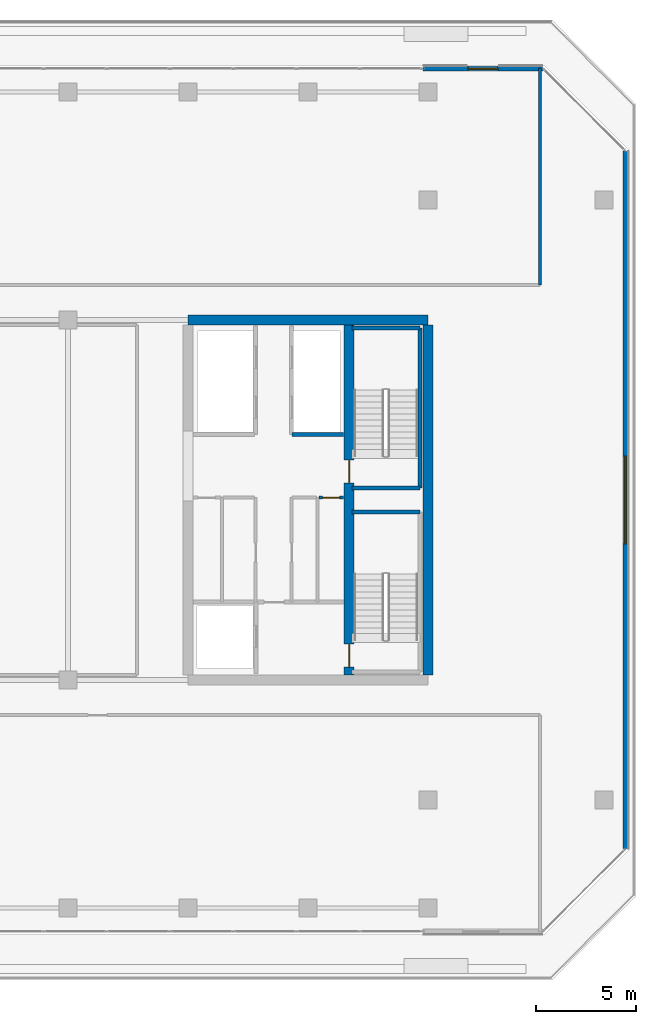
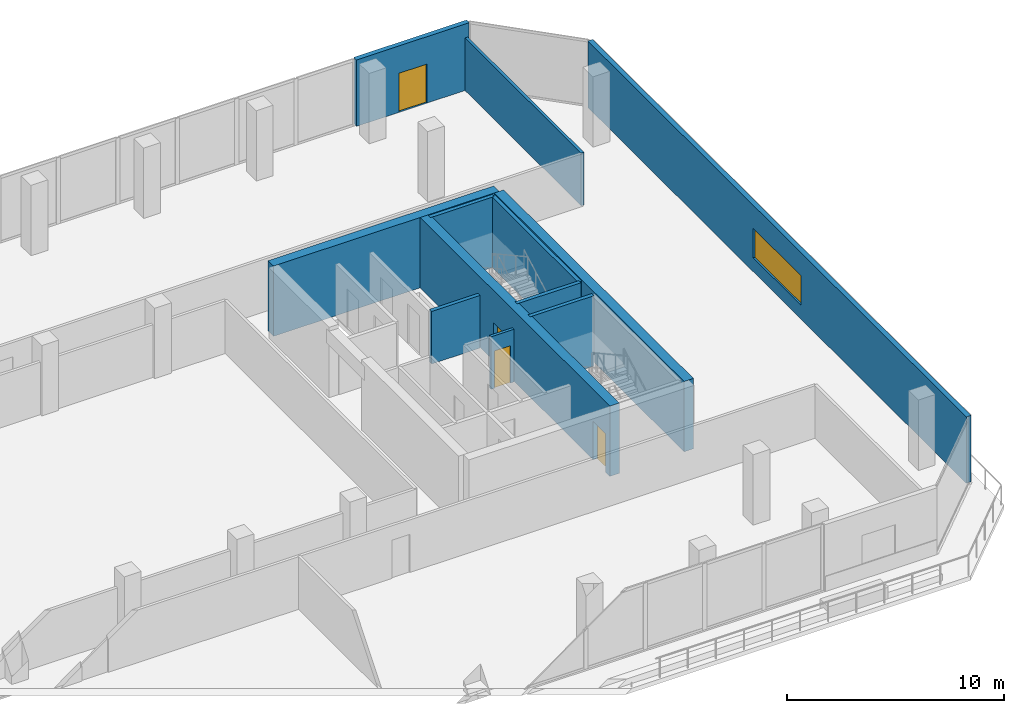
# One storey, part 24 of 30: 12 walls, 4 doors, 1 window, 5 openings.
"""IFC4 building model written with IfcOpenShell, lengths in metres."""

from ifc_helpers import new_model, si_unit, direction, frame, frame_2d, origin, place, context, subcontext, project, spatial, rectangle, extrude, material, layer, layer_set, type_object, element, fill, save


model = new_model("IFC4")

# Units and contexts
model_context = context("Model", 3, precision=1e-05, world=origin(), true_north=direction((0.0, 1.0)))
body_context = subcontext(model_context, "Body", "Model", "MODEL_VIEW")
ifc_project = project(units=[si_unit("LENGTHUNIT", "METRE"), si_unit("AREAUNIT", "SQUARE_METRE"), si_unit("VOLUMEUNIT", "CUBIC_METRE"), si_unit("PLANEANGLEUNIT", "RADIAN"), si_unit("MASSUNIT", "GRAM", prefix="KILO")], contexts=[model_context])

# Site, building, storey
site_placement = place(None, origin())
site = spatial("IfcSite", under=ifc_project, at=site_placement, CompositionType="ELEMENT")
building_placement = place(site_placement, origin())
building = spatial("IfcBuilding", under=site, at=building_placement, Name="Tanjung Sevakor Pilgrim Tower", CompositionType="ELEMENT")
storey_placement = place(building_placement, frame((0.0, 0.0, 128.0400390625)))
storey = spatial("IfcBuildingStorey", under=building, at=storey_placement, Name="L35", CompositionType="ELEMENT", Elevation=128.0400390625)

# Walls
ifc_material_1 = material(Name="Concrete C60/75", Category="concrete")
ifc_layer_1 = layer(ifc_material_1, 0.5)
ifc_layer_set_1 = layer_set([ifc_layer_1], Name="WALL-CW-500")
wall_type_1 = type_object("IfcWallType", Name="WALL-CW-500", PredefinedType="SHEAR", material=ifc_layer_set_1)
wall_1_placement = place(storey_placement, frame((90.0, 42.60009765625, 0.0), z_axis=(0.0, 0.0, 1.0), x_axis=(-1.0, 0.0, 0.0)))
element("IfcWall", 1, at=wall_1_placement, inside=storey, type_object=wall_type_1, Name="L35 E Core North Shear Wall", PredefinedType="SHEAR", context=body_context, shape_type="SweptSolid", body=[
    extrude(rectangle(XDim=12.0, YDim=0.5, at=frame_2d((6.0, 0.0))), origin(), (0.0, 0.0, 1.0), 3.9599609375),
])
wall_2_placement = place(storey_placement, frame((90.0, 24.85009765625, 0.0), z_axis=(0.0, 0.0, 1.0), x_axis=(0.0, 1.0, 0.0)))
element("IfcWall", 2, at=wall_2_placement, inside=storey, type_object=wall_type_1, Name="L35 E Core Outer Shear Wall", PredefinedType="SHEAR", context=body_context, shape_type="SweptSolid", body=[
    extrude(rectangle(XDim=17.5, YDim=0.5, at=frame_2d((8.75, 0.0))), origin(), (0.0, 0.0, 1.0), 3.9599609375),
])

# Wall, openings, doors
wall_3_placement = place(storey_placement, frame((86.050048828125, 24.85009765625, 0.0), z_axis=(0.0, 0.0, 1.0), x_axis=(0.0, 1.0, 0.0)))
wall_3 = element("IfcWall", 3, at=wall_3_placement, inside=storey, type_object=wall_type_1, Name="L35 E Core Stair Spine Wall", PredefinedType="SHEAR", context=body_context, shape_type="SweptSolid", body=[
    extrude(rectangle(XDim=17.5, YDim=0.5, at=frame_2d((8.75, 0.0))), origin(), (0.0, 0.0, 1.0), 3.9599609375),
])
opening_1_placement = place(wall_3_placement, frame((0.39990234375, 0.0, 0.0)))
opening_1 = element("IfcOpeningElement", 4, at=opening_1_placement, cuts=wall_3, Name="Opening ID-ST1", PredefinedType="OPENING", context=body_context, shape_type="SweptSolid", body=[
    extrude(rectangle(XDim=1.14990234375, YDim=2.14990234375, at=frame_2d((0.574951171875, 1.074951171875))), frame((0.0, 0.260009765625, 0.0), z_axis=(0.0, -1.0, 0.0), x_axis=(1.0, 0.0, 0.0)), (0.0, 0.0, 1.0), 0.52001953125),
])
opening_2_placement = place(wall_3_placement, frame((9.60009765625, 0.0, 0.0)))
opening_2 = element("IfcOpeningElement", 5, at=opening_2_placement, cuts=wall_3, Name="Opening ID-ST1", PredefinedType="OPENING", context=body_context, shape_type="SweptSolid", body=[
    extrude(rectangle(XDim=1.14990234375, YDim=2.14990234375, at=frame_2d((0.574951171875, 1.074951171875))), frame((0.0, 0.260009765625, 0.0), z_axis=(0.0, -1.0, 0.0), x_axis=(1.0, 0.0, 0.0)), (0.0, 0.0, 1.0), 0.52001953125),
])
ifc_material_2 = material(Name="Fire-Rated Steel S355J2", Category="steel")
door_type_1 = type_object("IfcDoorType", Name="DT-FIRE-1150", OperationType="NOTDEFINED", PredefinedType="DOOR", material=ifc_material_2)
door_1_placement = place(opening_1_placement, origin())
door_1 = element("IfcDoor", 6, at=door_1_placement, inside=storey, type_object=door_type_1, Name="L35 TS-E1 Stair Fire Door", OperationType="SINGLE_SWING_LEFT", OverallHeight=2.14990234375, OverallWidth=1.14990234375, PredefinedType="DOOR", context=body_context, shape_type="SweptSolid", body=[
    extrude(rectangle(XDim=1.14990234375, YDim=2.14990234375, at=frame_2d((0.574951171875, 1.074951171875))), frame((0.0, 0.02490234375, 0.0), z_axis=(0.0, -1.0, 0.0), x_axis=(1.0, 0.0, 0.0)), (0.0, 0.0, 1.0), 0.050048828125),
])
fill(opening_1, door_1)
door_2_placement = place(opening_2_placement, origin())
door_2 = element("IfcDoor", 7, at=door_2_placement, inside=storey, type_object=door_type_1, Name="L35 TS-E2 Stair Fire Door", OperationType="SINGLE_SWING_RIGHT", OverallHeight=2.14990234375, OverallWidth=1.14990234375, PredefinedType="DOOR", context=body_context, shape_type="SweptSolid", body=[
    extrude(rectangle(XDim=1.14990234375, YDim=2.14990234375, at=frame_2d((0.574951171875, 1.074951171875))), frame((0.0, 0.02490234375, 0.0), z_axis=(0.0, -1.0, 0.0), x_axis=(1.0, 0.0, 0.0)), (0.0, 0.0, 1.0), 0.050048828125),
])
fill(opening_2, door_2)

# Wall, opening, door
ifc_material_3 = material(Name="Concrete C40/50", Category="concrete")
ifc_layer_2 = layer(ifc_material_3, 0.14990234375)
ifc_layer_set_2 = layer_set([ifc_layer_2], Name="WT-COMP-150")
wall_type_2 = type_object("IfcWallType", Name="WT-COMP-150", PredefinedType="SOLIDWALL", material=ifc_layer_set_2)
wall_4_placement = place(storey_placement, frame((84.550048828125, 33.719970703125, 0.0), z_axis=(0.0, 0.0, 1.0), x_axis=(1.0, 0.0, 0.0)))
wall_4 = element("IfcWall", 8, at=wall_4_placement, inside=storey, type_object=wall_type_2, Name="L35 Partition IW-L35-018", PredefinedType="SOLIDWALL", context=body_context, shape_type="SweptSolid", body=[
    extrude(rectangle(XDim=1.22998046875, YDim=0.14990234375, at=frame_2d((0.614990234375, 0.0))), origin(), (0.0, 0.0, 1.0), 2.9599609375),
])
opening_3_placement = place(wall_4_placement, frame((0.179931640625, 0.0, 0.0)))
opening_3 = element("IfcOpeningElement", 9, at=opening_3_placement, cuts=wall_4, Name="Opening ID-FD3", PredefinedType="OPENING", context=body_context, shape_type="SweptSolid", body=[
    extrude(rectangle(XDim=0.85009765625, YDim=2.10009765625, at=frame_2d((0.425048828125, 1.050048828125))), frame((0.0, 0.0849609375, 0.0), z_axis=(0.0, -1.0, 0.0), x_axis=(1.0, 0.0, 0.0)), (0.0, 0.0, 1.0), 0.169921875),
])
ifc_material_4 = material(Name="Fire-Rated Timber", Category="wood")
door_type_2 = type_object("IfcDoorType", Name="DT-FIRE-850", OperationType="NOTDEFINED", PredefinedType="DOOR", material=ifc_material_4)
door_3_placement = place(opening_3_placement, origin())
door_3 = element("IfcDoor", 10, at=door_3_placement, inside=storey, type_object=door_type_2, Name="L35 Cleaner Store Door", OperationType="SINGLE_SWING_LEFT", OverallHeight=2.10009765625, OverallWidth=0.85009765625, PredefinedType="DOOR", context=body_context, shape_type="SweptSolid", body=[
    extrude(rectangle(XDim=0.85009765625, YDim=2.10009765625, at=frame_2d((0.425048828125, 1.050048828125))), frame((0.0, 0.02490234375, 0.0), z_axis=(0.0, -1.0, 0.0), x_axis=(1.0, 0.0, 0.0)), (0.0, 0.0, 1.0), 0.050048828125),
])
fill(opening_3, door_3)

# Wall
wall_5_placement = place(storey_placement, frame((95.60009765625, 44.35009765625, 0.0), z_axis=(0.0, 0.0, 1.0), x_axis=(0.0, 1.0, 0.0)))
element("IfcWall", 11, at=wall_5_placement, inside=storey, type_object=wall_type_2, Name="L35 Partition IW-L35-042", PredefinedType="SOLIDWALL", context=body_context, shape_type="SweptSolid", body=[
    extrude(rectangle(XDim=10.849853515625, YDim=0.14990234375, at=frame_2d((5.4248046875, 0.0))), origin(), (0.0, 0.0, 1.0), 2.9599609375),
])

# Wall, opening, window
ifc_material_5 = material(Name="Precast concrete C45/55", Category="concrete")
ifc_layer_3 = layer(ifc_material_5, 0.25)
ifc_layer_set_3 = layer_set([ifc_layer_3], Name="WT-EW-STN3")
wall_type_3 = type_object("IfcWallType", Name="WT-EW-STN3", PredefinedType="SOLIDWALL", material=ifc_layer_set_3)
wall_6_placement = place(storey_placement, frame((99.875, 16.15185546875, 0.0), z_axis=(0.0, 0.0, 1.0), x_axis=(0.0, 1.0, 0.0)))
wall_6 = element("IfcWall", 12, at=wall_6_placement, inside=storey, type_object=wall_type_3, Name="L35 MAIN Exterior Wall 7", PredefinedType="SOLIDWALL", context=body_context, shape_type="SweptSolid", body=[
    extrude(rectangle(XDim=34.896240234375, YDim=0.25, at=frame_2d((17.4482421875, 0.0))), origin(), (0.0, 0.0, 1.0), 3.739990234375),
])
opening_4_placement = place(wall_6_placement, frame((15.248291015625, 0.0, 0.780029296875)))
opening_4 = element("IfcOpeningElement", 13, at=opening_4_placement, cuts=wall_6, Name="Opening WN-ENDW-1660", PredefinedType="OPENING", context=body_context, shape_type="SweptSolid", body=[
    extrude(rectangle(XDim=4.39990234375, YDim=1.659912109375, at=frame_2d((2.199951171875, 0.830078125))), frame((0.0, 0.135009765625, 0.0), z_axis=(0.0, -1.0, 0.0), x_axis=(1.0, 0.0, 0.0)), (0.0, 0.0, 1.0), 0.27001953125),
])
ifc_material_6 = material(Name="Thermally Broken Aluminium and Low-E Glass", Category="aluminium")
window_type = type_object("IfcWindowType", Name="WTYP-WN-ENDW-1660", PartitioningType="DOUBLE_PANEL_VERTICAL", PredefinedType="WINDOW", material=ifc_material_6)
window_placement = place(opening_4_placement, origin())
window = element("IfcWindow", 14, at=window_placement, inside=storey, type_object=window_type, Name="L35 Facade Window 01", OverallHeight=1.659912109375, OverallWidth=4.39990234375, PartitioningType="SINGLE_PANEL", PredefinedType="WINDOW", context=body_context, shape_type="SweptSolid", body=[
    extrude(rectangle(XDim=4.39990234375, YDim=1.659912109375, at=frame_2d((2.199951171875, 0.830078125))), frame((0.0, 0.030029296875, 0.0), z_axis=(0.0, -1.0, 0.0), x_axis=(1.0, 0.0, 0.0)), (0.0, 0.0, 1.0), 0.06005859375),
])
fill(opening_4, window)

# Wall, opening, door
wall_7_placement = place(storey_placement, frame((95.748291015625, 55.175048828125, 0.0), z_axis=(0.0, 0.0, 1.0), x_axis=(-1.0, 0.0, 0.0)))
wall_7 = element("IfcWall", 15, at=wall_7_placement, inside=storey, type_object=wall_type_3, Name="L35 Sky Lobby Wall N1", PredefinedType="SOLIDWALL", context=body_context, shape_type="SweptSolid", body=[
    extrude(rectangle(XDim=6.0, YDim=0.25, at=frame_2d((3.0, 0.0))), origin(), (0.0, 0.0, 1.0), 3.739990234375),
])
opening_5_placement = place(wall_7_placement, frame((2.25, 0.0, 0.0)))
opening_5 = element("IfcOpeningElement", 16, at=opening_5_placement, cuts=wall_7, Name="Opening ED-TER-1500", PredefinedType="OPENING", context=body_context, shape_type="SweptSolid", body=[
    extrude(rectangle(XDim=1.5, YDim=2.199951171875, at=frame_2d((0.75, 1.10009765625))), frame((0.0, 0.135009765625, 0.0), z_axis=(0.0, -1.0, 0.0), x_axis=(1.0, 0.0, 0.0)), (0.0, 0.0, 1.0), 0.27001953125),
])
ifc_material_7 = material(Name="Anodised Aluminium and Laminated Glass", Category="aluminium")
door_type_3 = type_object("IfcDoorType", Name="DTYP-ED-TER-1500", OperationType="DOUBLE_DOOR_SINGLE_SWING", PredefinedType="DOOR", material=ifc_material_7)
door_4_placement = place(opening_5_placement, frame((1.5, 0.0, 0.0), z_axis=(0.0, 0.0, 1.0), x_axis=(-1.0, 0.0, 0.0)))
door_4 = element("IfcDoor", 17, at=door_4_placement, inside=storey, type_object=door_type_3, Name="L35 Sky Terrace Door N", OperationType="SINGLE_SWING_LEFT", OverallHeight=2.199951171875, OverallWidth=1.5, PredefinedType="DOOR", context=body_context, shape_type="SweptSolid", body=[
    extrude(rectangle(XDim=1.5, YDim=2.199951171875, at=frame_2d((0.75, 1.10009765625))), frame((0.0, 0.02490234375, 0.0), z_axis=(0.0, -1.0, 0.0), x_axis=(1.0, 0.0, 0.0)), (0.0, 0.0, 1.0), 0.050048828125),
])
fill(opening_5, door_4)

# Walls
ifc_material_8 = material(Name="Concrete C40/50", Category="concrete")
ifc_layer_4 = layer(ifc_material_8, 0.199951171875)
ifc_layer_set_4 = layer_set([ifc_layer_4], Name="WT-FIRE-200")
wall_type_4 = type_object("IfcWallType", Name="WT-FIRE-200", PredefinedType="SOLIDWALL", material=ifc_layer_set_4)
for number, where, z_axis, x_axis, name in (
    (18, (89.60009765625, 33.0, 0.0), (0.0, 0.0, 1.0), (-1.0, 0.0, 0.0), "L35 TS-E1 Shaft Wall 3"),
    (19, (86.199951171875, 34.199951171875, 0.0), (0.0, 0.0, 1.0), (1.0, 0.0, 0.0), "L35 TS-E2 Shaft Wall 1"),
):
    element("IfcWall", number, at=place(storey_placement, frame(where, z_axis=z_axis, x_axis=x_axis)), inside=storey, type_object=wall_type_4, Name=name, PredefinedType="SOLIDWALL", context=body_context, shape_type="SweptSolid", body=[
        extrude(rectangle(XDim=3.400146484375, YDim=0.199951171875, at=frame_2d((1.7001953125, 0.0))), origin(), (0.0, 0.0, 1.0), 3.9599609375),
    ])
wall_8_placement = place(storey_placement, frame((89.60009765625, 34.199951171875, 0.0), z_axis=(0.0, 0.0, 1.0), x_axis=(0.0, 1.0, 0.0)))
element("IfcWall", 20, at=wall_8_placement, inside=storey, type_object=wall_type_4, Name="L35 TS-E2 Shaft Wall 2", PredefinedType="SOLIDWALL", context=body_context, shape_type="SweptSolid", body=[
    extrude(rectangle(XDim=8.0, YDim=0.199951171875, at=frame_2d((4.0, 0.0))), origin(), (0.0, 0.0, 1.0), 3.9599609375),
])
wall_9_placement = place(storey_placement, frame((89.60009765625, 42.199951171875, 0.0), z_axis=(0.0, 0.0, 1.0), x_axis=(-1.0, 0.0, 0.0)))
element("IfcWall", 21, at=wall_9_placement, inside=storey, type_object=wall_type_4, Name="L35 TS-E2 Shaft Wall 3", PredefinedType="SOLIDWALL", context=body_context, shape_type="SweptSolid", body=[
    extrude(rectangle(XDim=3.400146484375, YDim=0.199951171875, at=frame_2d((1.7001953125, 0.0))), origin(), (0.0, 0.0, 1.0), 3.9599609375),
])
ifc_material_9 = material(Name="Concrete C40/50", Category="concrete")
ifc_layer_5 = layer(ifc_material_9, 0.199951171875)
ifc_layer_set_5 = layer_set([ifc_layer_5], Name="WT-FPRT-200")
wall_type_5 = type_object("IfcWallType", Name="WT-FPRT-200", PredefinedType="SOLIDWALL", material=ifc_layer_set_5)
wall_10_placement = place(storey_placement, frame((83.199951171875, 36.8798828125, 0.0), z_axis=(0.0, 0.0, 1.0), x_axis=(1.0, 0.0, 0.0)))
element("IfcWall", 22, at=wall_10_placement, inside=storey, type_object=wall_type_5, Name="L35 Partition IW-L35-025", PredefinedType="SOLIDWALL", context=body_context, shape_type="SweptSolid", body=[
    extrude(rectangle(XDim=2.580078125, YDim=0.199951171875, at=frame_2d((1.2900390625, 0.0))), origin(), (0.0, 0.0, 1.0), 2.9599609375),
])

save(model, "model.ifc")
